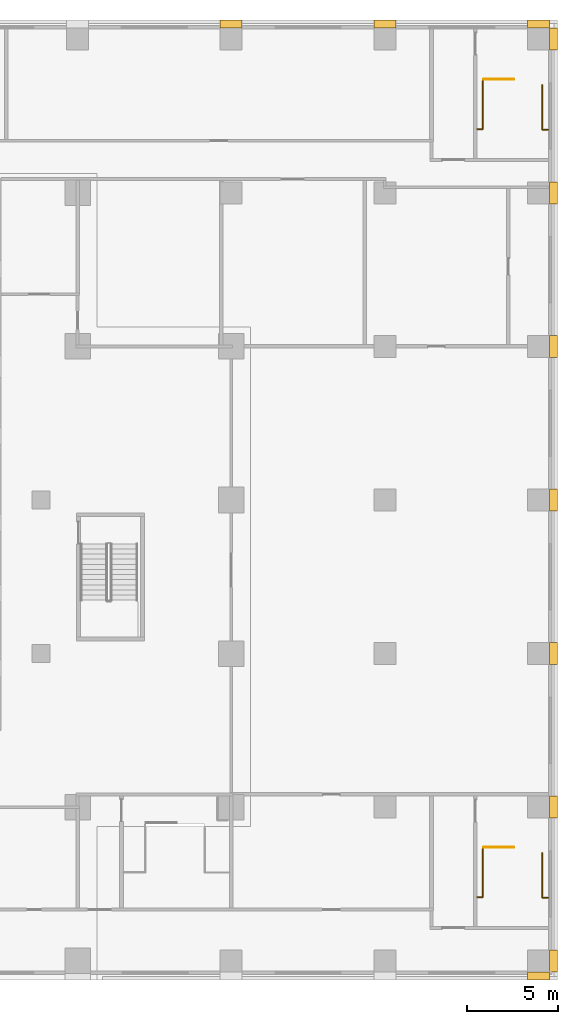
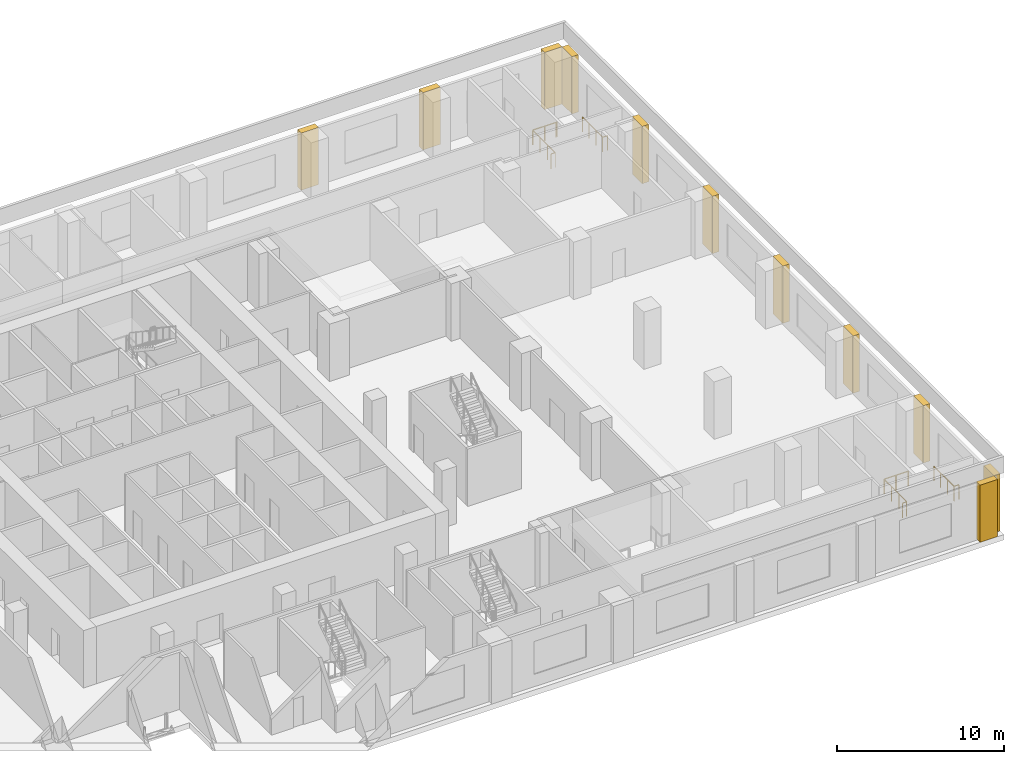
# One storey, part 16 of 16: 11 coverings, 6 railings.
"""IFC4 building model written with IfcOpenShell, lengths in metres."""

from ifc_helpers import new_model, si_unit, direction, frame, origin, origin_2d, place, context, subcontext, project, spatial, polyline, rectangle, outline, extrude, material, type_object, element, save


model = new_model("IFC4")

# Units and contexts
model_context = context("Model", 3, precision=1e-05, world=origin(), true_north=direction((0.0, 1.0)))
body_context = subcontext(model_context, "Body", "Model", "MODEL_VIEW")
ifc_project = project(units=[si_unit("LENGTHUNIT", "METRE"), si_unit("AREAUNIT", "SQUARE_METRE"), si_unit("VOLUMEUNIT", "CUBIC_METRE"), si_unit("PLANEANGLEUNIT", "RADIAN"), si_unit("MASSUNIT", "GRAM", prefix="KILO")], contexts=[model_context])

# Site, building, storey
site_placement = place(None, origin())
site = spatial("IfcSite", under=ifc_project, at=site_placement, CompositionType="ELEMENT")
building_placement = place(site_placement, origin())
building = spatial("IfcBuilding", under=site, at=building_placement, Name="Vermilion Ogive Tower", CompositionType="ELEMENT")
storey_placement = place(building_placement, frame((0.0, 0.0, 30.0)))
storey = spatial("IfcBuildingStorey", under=building, at=storey_placement, Name="L05", CompositionType="ELEMENT", Elevation=30.0)

# Railings
ifc_material_1 = material(Name="Steel S355 painted", Category="steel")
railing_type = type_object("IfcRailingType", Name="Stair guard 1100", PredefinedType="GUARDRAIL", material=ifc_material_1)
for number, where, name in (
    (1, (39.0, 27.199951171875, 0.0), "L05 PS2 top well guard 1"),
    (2, (39.0, -14.800048828125, 0.0), "L05 PS6 top well guard 1"),
):
    element("IfcRailing", number, at=place(storey_placement, frame(where)), inside=storey, type_object=railing_type, Name=name, PredefinedType="GUARDRAIL", context=body_context, shape_type="SweptSolid", body=[
        extrude(rectangle(XDim=0.048095703125, YDim=0.048095703125, at=origin_2d()), frame((0.0, 0.0, 1.076171875), z_axis=(1.0, 0.0, 0.0), x_axis=(0.0, 1.0, 0.0)), (0.0, 0.0, 1.0), 1.64990234375),
        extrude(rectangle(XDim=0.0419921875, YDim=0.0419921875, at=origin_2d()), origin(), (0.0, 0.0, 1.0), 1.052001953125),
        extrude(rectangle(XDim=0.0419921875, YDim=0.0419921875, at=origin_2d()), frame((0.824951171875, 0.0, 0.0)), (0.0, 0.0, 1.0), 1.052001953125),
        extrude(rectangle(XDim=0.0419921875, YDim=0.0419921875, at=origin_2d()), frame((1.64990234375, 0.0, 0.0)), (0.0, 0.0, 1.0), 1.052001953125),
    ])
railing_1_placement = place(storey_placement, frame((38.660888671875, 24.484375, 0.0)))
element("IfcRailing", 3, at=railing_1_placement, inside=storey, type_object=railing_type, Name="L05 stair opening guard", PredefinedType="GUARDRAIL", context=body_context, shape_type="SweptSolid", body=[
    extrude(rectangle(XDim=0.048095703125, YDim=0.048095703125, at=origin_2d()), frame((0.0, 0.0, 1.076171875), z_axis=(1.0, 0.0, 0.0), x_axis=(0.0, 1.0, 0.0)), (0.0, 0.0, 1.0), 0.289794921875),
    extrude(rectangle(XDim=0.048095703125, YDim=0.048095703125, at=origin_2d()), frame((0.289794921875, 0.0, 1.076171875), z_axis=(0.0, 1.0, 0.0), x_axis=(-1.0, 0.0, 0.0)), (0.0, 0.0, 1.0), 2.699951171875),
    extrude(rectangle(XDim=0.048095703125, YDim=0.048095703125, at=origin_2d()), frame((0.289794921875, 2.699951171875, 1.076171875), z_axis=(1.0, 0.0, 0.0), x_axis=(0.0, 1.0, 0.0)), (0.0, 0.0, 1.0), 1.60009765625),
    extrude(rectangle(XDim=0.0419921875, YDim=0.0419921875, at=origin_2d()), origin(), (0.0, 0.0, 1.0), 1.052001953125),
    extrude(rectangle(XDim=0.0419921875, YDim=0.0419921875, at=origin_2d()), frame((0.289794921875, 0.0, 0.0)), (0.0, 0.0, 1.0), 1.052001953125),
    extrude(rectangle(XDim=0.0419921875, YDim=0.0419921875, at=origin_2d()), frame((0.289794921875, 0.89990234375, 0.0)), (0.0, 0.0, 1.0), 1.052001953125),
    extrude(rectangle(XDim=0.0419921875, YDim=0.0419921875, at=origin_2d()), frame((0.289794921875, 1.800048828125, 0.0)), (0.0, 0.0, 1.0), 1.052001953125),
    extrude(rectangle(XDim=0.0419921875, YDim=0.0419921875, at=origin_2d()), frame((0.289794921875, 2.699951171875, 0.0)), (0.0, 0.0, 1.0), 1.052001953125),
    extrude(rectangle(XDim=0.0419921875, YDim=0.0419921875, at=origin_2d()), frame((1.08984375, 2.699951171875, 0.0)), (0.0, 0.0, 1.0), 1.052001953125),
    extrude(rectangle(XDim=0.0419921875, YDim=0.0419921875, at=origin_2d()), frame((1.889892578125, 2.699951171875, 0.0)), (0.0, 0.0, 1.0), 1.052001953125),
])
for number, where, name in (
    (4, (42.209228515625, 26.88232421875, 0.0), "L05 stair opening guard"),
    (5, (42.209228515625, -15.11767578125, 0.0), "L05 stair opening guard"),
):
    element("IfcRailing", number, at=place(storey_placement, frame(where)), inside=storey, type_object=railing_type, Name=name, PredefinedType="GUARDRAIL", context=body_context, shape_type="SweptSolid", body=[
        extrude(rectangle(XDim=0.048095703125, YDim=0.048095703125, at=origin_2d()), frame((0.0, 0.0, 1.076171875), z_axis=(0.0, -1.0, 0.0), x_axis=(1.0, 0.0, 0.0)), (0.0, 0.0, 1.0), 2.424072265625),
        extrude(rectangle(XDim=0.048095703125, YDim=0.048095703125, at=origin_2d()), frame((0.0, -2.424072265625, 1.076171875), z_axis=(1.0, 0.0, 0.0), x_axis=(0.0, 1.0, 0.0)), (0.0, 0.0, 1.0), 0.340087890625),
        extrude(rectangle(XDim=0.0419921875, YDim=0.0419921875, at=origin_2d()), origin(), (0.0, 0.0, 1.0), 1.052001953125),
        extrude(rectangle(XDim=0.0419921875, YDim=0.0419921875, at=origin_2d()), frame((0.0, -0.80810546875, 0.0)), (0.0, 0.0, 1.0), 1.052001953125),
        extrude(rectangle(XDim=0.0419921875, YDim=0.0419921875, at=origin_2d()), frame((0.0, -1.615966796875, 0.0)), (0.0, 0.0, 1.0), 1.052001953125),
        extrude(rectangle(XDim=0.0419921875, YDim=0.0419921875, at=origin_2d()), frame((0.0, -2.424072265625, 0.0)), (0.0, 0.0, 1.0), 1.052001953125),
        extrude(rectangle(XDim=0.0419921875, YDim=0.0419921875, at=origin_2d()), frame((0.340087890625, -2.424072265625, 0.0)), (0.0, 0.0, 1.0), 1.052001953125),
    ])
railing_2_placement = place(storey_placement, frame((38.660888671875, -17.515625, 0.0)))
element("IfcRailing", 6, at=railing_2_placement, inside=storey, type_object=railing_type, Name="L05 stair opening guard", PredefinedType="GUARDRAIL", context=body_context, shape_type="SweptSolid", body=[
    extrude(rectangle(XDim=0.048095703125, YDim=0.048095703125, at=origin_2d()), frame((0.0, 0.0, 1.076171875), z_axis=(1.0, 0.0, 0.0), x_axis=(0.0, 1.0, 0.0)), (0.0, 0.0, 1.0), 0.289794921875),
    extrude(rectangle(XDim=0.048095703125, YDim=0.048095703125, at=origin_2d()), frame((0.289794921875, 0.0, 1.076171875), z_axis=(0.0, 1.0, 0.0), x_axis=(-1.0, 0.0, 0.0)), (0.0, 0.0, 1.0), 2.699951171875),
    extrude(rectangle(XDim=0.048095703125, YDim=0.048095703125, at=origin_2d()), frame((0.289794921875, 2.699951171875, 1.076171875), z_axis=(1.0, 0.0, 0.0), x_axis=(0.0, 1.0, 0.0)), (0.0, 0.0, 1.0), 1.60009765625),
    extrude(rectangle(XDim=0.0419921875, YDim=0.0419921875, at=origin_2d()), origin(), (0.0, 0.0, 1.0), 1.052001953125),
    extrude(rectangle(XDim=0.0419921875, YDim=0.0419921875, at=origin_2d()), frame((0.289794921875, 0.0, 0.0)), (0.0, 0.0, 1.0), 1.052001953125),
    extrude(rectangle(XDim=0.0419921875, YDim=0.0419921875, at=origin_2d()), frame((0.289794921875, 0.89990234375, 0.0)), (0.0, 0.0, 1.0), 1.052001953125),
    extrude(rectangle(XDim=0.0419921875, YDim=0.0419921875, at=origin_2d()), frame((0.289794921875, 1.800048828125, 0.0)), (0.0, 0.0, 1.0), 1.052001953125),
    extrude(rectangle(XDim=0.0419921875, YDim=0.0419921875, at=origin_2d()), frame((0.289794921875, 2.699951171875, 0.0)), (0.0, 0.0, 1.0), 1.052001953125),
    extrude(rectangle(XDim=0.0419921875, YDim=0.0419921875, at=origin_2d()), frame((1.08984375, 2.699951171875, 0.0)), (0.0, 0.0, 1.0), 1.052001953125),
    extrude(rectangle(XDim=0.0419921875, YDim=0.0419921875, at=origin_2d()), frame((1.889892578125, 2.699951171875, 0.0)), (0.0, 0.0, 1.0), 1.052001953125),
])

# Coverings
ifc_material_2 = material(Name="Stone cladding", Category="masonry")
covering_type = type_object("IfcCoveringType", Name="Stone pier", PredefinedType="CLADDING", material=ifc_material_2)
covering_1_placement = place(storey_placement, origin())
element("IfcCovering", 7, at=covering_1_placement, inside=storey, type_object=covering_type, Name="Stone pier P+252+294", PredefinedType="CLADDING", context=body_context, shape_type="SweptSolid", body=[
    extrude(outline(polyline([(24.60009765625, 30.449951171875), (25.800048828125, 30.449951171875), (25.800048828125, 30.0), (24.60009765625, 30.0), (24.60009765625, 30.449951171875)])), origin(), (0.0, 0.0, 1.0), 4.179931640625),
])
covering_2_placement = place(storey_placement, origin())
element("IfcCovering", 8, at=covering_2_placement, inside=storey, type_object=covering_type, Name="Stone pier P+336+294", PredefinedType="CLADDING", context=body_context, shape_type="SweptSolid", body=[
    extrude(outline(polyline([(33.0, 30.449951171875), (34.199951171875, 30.449951171875), (34.199951171875, 30.0), (33.0, 30.0), (33.0, 30.449951171875)])), origin(), (0.0, 0.0, 1.0), 4.179931640625),
])
covering_3_placement = place(storey_placement, origin())
element("IfcCovering", 9, at=covering_3_placement, inside=storey, type_object=covering_type, Name="Stone pier P+420+042", PredefinedType="CLADDING", context=body_context, shape_type="SweptSolid", body=[
    extrude(outline(polyline([(42.60009765625, 4.800048828125), (42.60009765625, 4.800048828125), (43.050048828125, 4.800048828125), (43.050048828125, 3.60009765625), (42.60009765625, 3.60009765625), (42.60009765625, 3.60009765625), (42.60009765625, 4.800048828125)])), origin(), (0.0, 0.0, 1.0), 4.179931640625),
])
covering_4_placement = place(storey_placement, origin())
element("IfcCovering", 10, at=covering_4_placement, inside=storey, type_object=covering_type, Name="Stone pier P+420+126", PredefinedType="CLADDING", context=body_context, shape_type="SweptSolid", body=[
    extrude(outline(polyline([(42.60009765625, 13.199951171875), (43.050048828125, 13.199951171875), (43.050048828125, 12.0), (42.60009765625, 12.0), (42.60009765625, 13.199951171875), (42.60009765625, 13.199951171875)])), origin(), (0.0, 0.0, 1.0), 4.179931640625),
])
covering_5_placement = place(storey_placement, origin())
element("IfcCovering", 11, at=covering_5_placement, inside=storey, type_object=covering_type, Name="Stone pier P+420+210", PredefinedType="CLADDING", context=body_context, shape_type="SweptSolid", body=[
    extrude(outline(polyline([(43.050048828125, 21.60009765625), (43.050048828125, 20.39990234375), (42.60009765625, 20.39990234375), (42.60009765625, 21.60009765625), (43.050048828125, 21.60009765625)])), origin(), (0.0, 0.0, 1.0), 4.179931640625),
])
covering_6_placement = place(storey_placement, origin())
element("IfcCovering", 12, at=covering_6_placement, inside=storey, type_object=covering_type, Name="Stone pier P+420+294E", PredefinedType="CLADDING", context=body_context, shape_type="SweptSolid", body=[
    extrude(outline(polyline([(43.050048828125, 30.0), (43.050048828125, 28.800048828125), (42.60009765625, 28.800048828125), (42.60009765625, 30.0), (43.050048828125, 30.0)])), origin(), (0.0, 0.0, 1.0), 4.179931640625),
])
covering_7_placement = place(storey_placement, origin())
element("IfcCovering", 13, at=covering_7_placement, inside=storey, type_object=covering_type, Name="Stone pier P+420+294N", PredefinedType="CLADDING", context=body_context, shape_type="SweptSolid", body=[
    extrude(outline(polyline([(42.60009765625, 30.449951171875), (42.60009765625, 30.0), (41.39990234375, 30.0), (41.39990234375, 30.449951171875), (42.60009765625, 30.449951171875)])), origin(), (0.0, 0.0, 1.0), 4.179931640625),
])
covering_8_placement = place(storey_placement, origin())
element("IfcCovering", 14, at=covering_8_placement, inside=storey, type_object=covering_type, Name="Stone pier P+420-042", PredefinedType="CLADDING", context=body_context, shape_type="SweptSolid", body=[
    extrude(outline(polyline([(42.60009765625, -3.60009765625), (42.60009765625, -3.60009765625), (43.050048828125, -3.60009765625), (43.050048828125, -4.800048828125), (42.60009765625, -4.800048828125), (42.60009765625, -4.800048828125), (42.60009765625, -3.60009765625)])), origin(), (0.0, 0.0, 1.0), 4.179931640625),
])
covering_9_placement = place(storey_placement, origin())
element("IfcCovering", 15, at=covering_9_placement, inside=storey, type_object=covering_type, Name="Stone pier P+420-126", PredefinedType="CLADDING", context=body_context, shape_type="SweptSolid", body=[
    extrude(outline(polyline([(43.050048828125, -12.0), (43.050048828125, -13.199951171875), (42.60009765625, -13.199951171875), (42.60009765625, -12.0), (43.050048828125, -12.0)])), origin(), (0.0, 0.0, 1.0), 4.179931640625),
])
covering_10_placement = place(storey_placement, origin())
element("IfcCovering", 16, at=covering_10_placement, inside=storey, type_object=covering_type, Name="Stone pier P+420-210S", PredefinedType="CLADDING", context=body_context, shape_type="SweptSolid", body=[
    extrude(outline(polyline([(42.60009765625, -22.050048828125), (41.39990234375, -22.050048828125), (41.39990234375, -21.60009765625), (42.60009765625, -21.60009765625), (42.60009765625, -22.050048828125)])), origin(), (0.0, 0.0, 1.0), 4.179931640625),
])
covering_11_placement = place(storey_placement, origin())
element("IfcCovering", 17, at=covering_11_placement, inside=storey, type_object=covering_type, Name="Stone pier P+420-210E", PredefinedType="CLADDING", context=body_context, shape_type="SweptSolid", body=[
    extrude(outline(polyline([(43.050048828125, -21.60009765625), (42.60009765625, -21.60009765625), (42.60009765625, -20.39990234375), (43.050048828125, -20.39990234375), (43.050048828125, -21.60009765625)])), origin(), (0.0, 0.0, 1.0), 4.179931640625),
])

save(model, "model.ifc")
